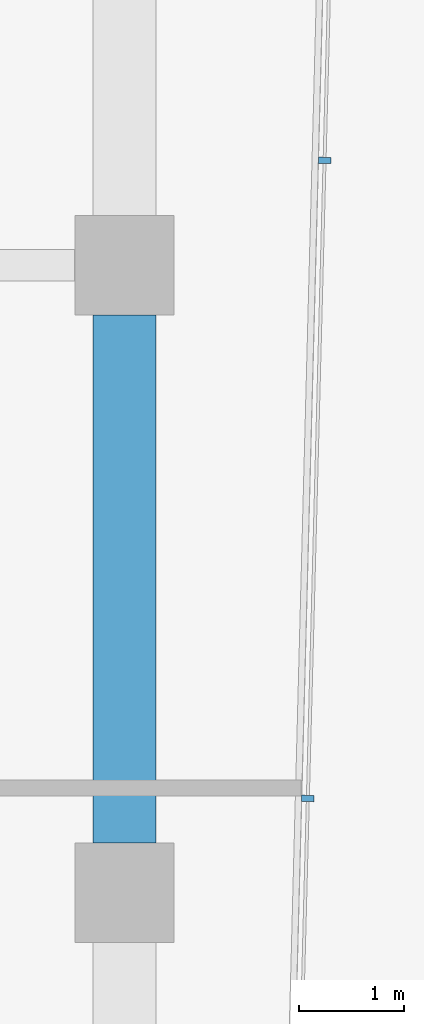
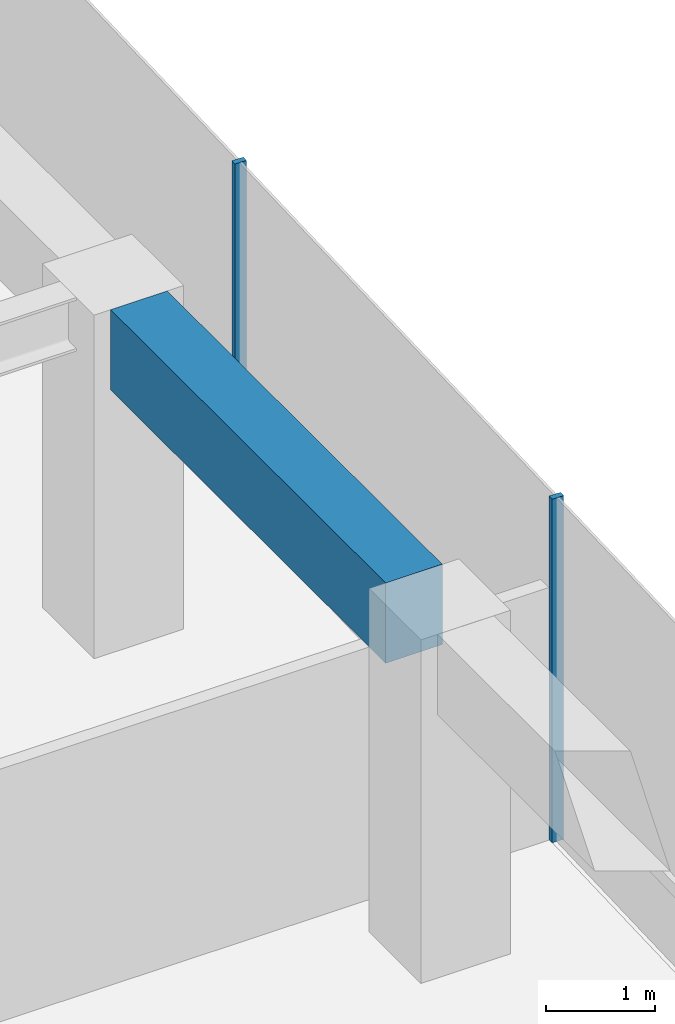
# One storey, part 19 of 28: 2 members, 1 beam, 1 element without a shape of its own.
"""IFC4 building model written with IfcOpenShell, lengths in metres."""

from ifc_helpers import new_model, si_unit, direction, frame, origin, origin_2d, place, context, subcontext, project, spatial, rectangle, extrude, material, layer, layer_set, material_profile, profile_set, type_object, element, aggregate, save


model = new_model("IFC4")

# Units and contexts
model_context = context("Model", 3, precision=1e-05, world=origin(), true_north=direction((0.0, 1.0)))
body_context = subcontext(model_context, "Body", "Model", "MODEL_VIEW")
ifc_project = project(units=[si_unit("LENGTHUNIT", "METRE"), si_unit("AREAUNIT", "SQUARE_METRE"), si_unit("VOLUMEUNIT", "CUBIC_METRE"), si_unit("PLANEANGLEUNIT", "RADIAN"), si_unit("MASSUNIT", "GRAM", prefix="KILO")], contexts=[model_context])

# Site, building, storey
site_placement = place(None, origin())
site = spatial("IfcSite", under=ifc_project, at=site_placement, CompositionType="ELEMENT")
building_placement = place(site_placement, origin())
building = spatial("IfcBuilding", under=site, at=building_placement, Name="Welwitschia Terrace Campus", CompositionType="ELEMENT")
storey_placement = place(building_placement, frame((0.0, 0.0, 45.800048828125)))
storey = spatial("IfcBuildingStorey", under=building, at=storey_placement, Name="L10", CompositionType="ELEMENT", Elevation=45.800048828125)

# Curtain wall, members
ifc_material_1 = material(Name="Bronze anodised aluminium", Category="aluminium")
ifc_layer = layer(ifc_material_1, 0.1201171875)
ifc_layer_set = layer_set([ifc_layer], Name="Bronze anodised aluminium")
curtain_wall_type = type_object("IfcCurtainWallType", Name="Curtain wall CW2 tower 6000", PredefinedType="NOTDEFINED", material=ifc_layer_set)
curtain_wall_placement = place(storey_placement, origin())
curtain_wall = element("IfcCurtainWall", 1, at=curtain_wall_placement, inside=storey, type_object=curtain_wall_type, Name="CW L10.9.0", PredefinedType="NOTDEFINED")
ifc_material_2 = material(Name="Bronze anodised aluminium", Category="aluminium")
ifc_material_profile_1 = material_profile(ifc_material_2, rectangle(XDim=0.1201171875, YDim=0.06005859375, at=origin_2d()))
ifc_profile_set_1 = profile_set([ifc_material_profile_1], Name="Bronze anodised aluminium")
member_type = type_object("IfcMemberType", Name="Mullion 60x120", PredefinedType="MULLION", material=ifc_profile_set_1)
member_1_placement = place(storey_placement, frame((25.754150390625, 50.900146484375, 0.0), z_axis=(0.0, 0.0, 1.0), x_axis=(-0.999657324976, 0.026176948308, 0.0)))
member_1 = element("IfcMember", 2, at=member_1_placement, type_object=member_type, Name="Mullion L10.9.0.4", PredefinedType="MULLION", context=body_context, shape_type="SweptSolid", body=[
    extrude(rectangle(XDim=0.1201171875, YDim=0.06005859375, at=origin_2d()), origin(), (0.0, 0.0, 1.0), 3.849853515625),
])
member_2_placement = place(storey_placement, frame((25.9140625, 57.00146484375, 0.0), z_axis=(0.0, 0.0, 1.0), x_axis=(-0.999657324976, 0.026176948308, 0.0)))
member_2 = element("IfcMember", 3, at=member_2_placement, type_object=member_type, Name="Mullion L10.9.0.5", PredefinedType="MULLION", context=body_context, shape_type="SweptSolid", body=[
    extrude(rectangle(XDim=0.1201171875, YDim=0.06005859375, at=origin_2d()), origin(), (0.0, 0.0, 1.0), 3.849853515625),
])
aggregate(curtain_wall, [member_1, member_2])

# Beam
ifc_material_3 = material(Name="Concrete C60/75", Category="concrete")
ifc_material_profile_2 = material_profile(ifc_material_3, rectangle(XDim=0.60009765625, YDim=0.89990234375, at=origin_2d()))
ifc_profile_set_2 = profile_set([ifc_material_profile_2], Name="Concrete C60/75")
beam_type = type_object("IfcBeamType", Name="Ring spandrel 600x900", PredefinedType="SPANDREL", material=ifc_profile_set_2)
beam_placement = place(storey_placement, frame((24.0, 50.4755859375, 3.39990234375), z_axis=(0.0, 1.0, 0.0), x_axis=(-1.0, 0.0, 0.0)))
element("IfcBeam", 4, at=beam_placement, inside=storey, type_object=beam_type, Name="Spandrel SP2", PredefinedType="SPANDREL", context=body_context, shape_type="SweptSolid", body=[
    extrude(rectangle(XDim=0.60009765625, YDim=0.89990234375, at=origin_2d()), origin(), (0.0, 0.0, 1.0), 5.048828125),
])

save(model, "model.ifc")
